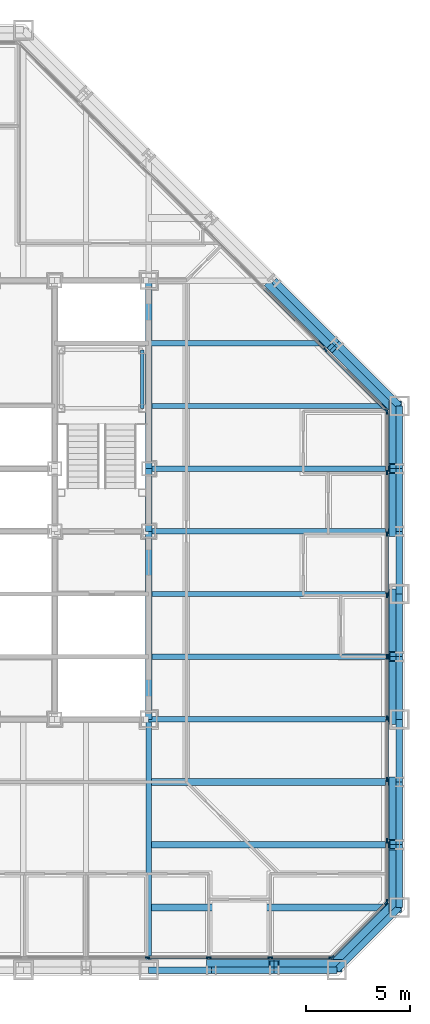
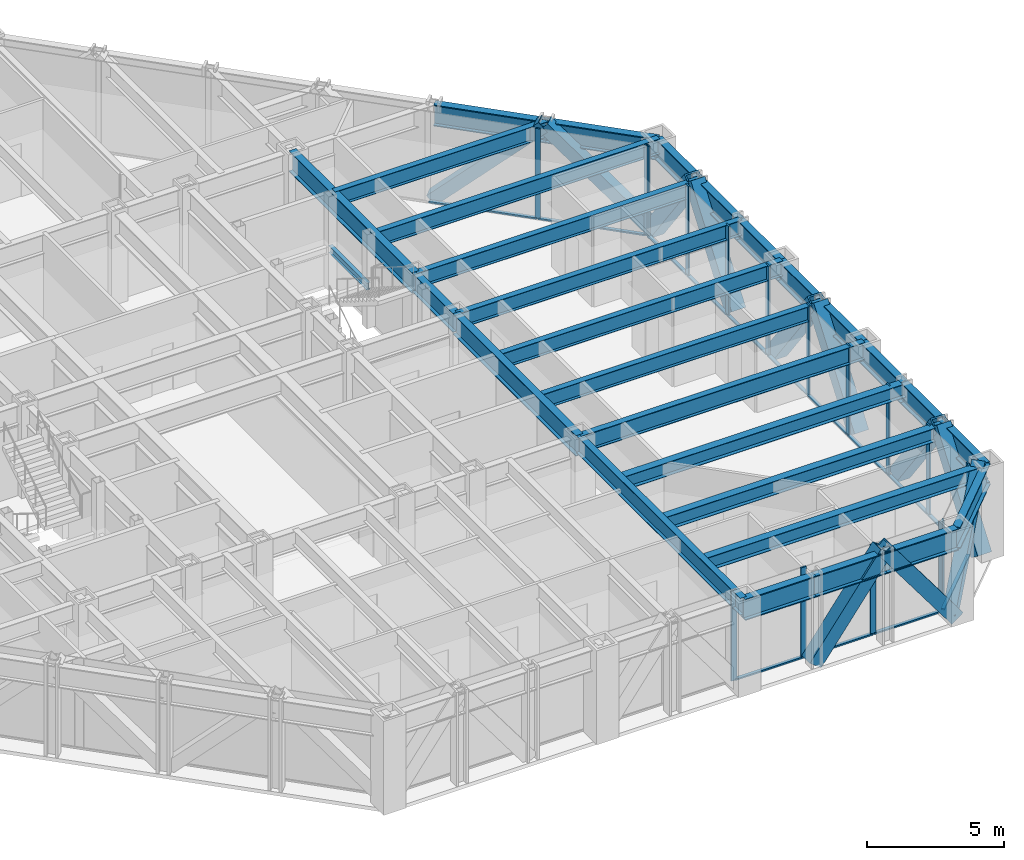
# One storey, part 6 of 17: 42 members, 29 beams, 4 elements without a shape of their own.
"""IFC4 building model written with IfcOpenShell, lengths in metres."""

import ifcopenshell
import ifcopenshell.guid

model = None  # the IFC model being written
_history = None  # IfcOwnerHistory: only IFC2X3 demands one
_inside = {}  # id of a spatial element -> (the spatial element, [elements in it])
_under = {}  # id of a project, library or spatial element -> (it, [spatial elements below it])
_declared = {}  # id of a project -> (the project, [libraries it declares])
_typed = {}  # id of a type object -> (the type object, [elements of that type])
_made_of = {}  # id of a material, layer set ... -> (it, [elements and type objects made of it])


def new_model(schema):
    """Start an empty IFC model of exactly this schema.

    Asked for "IFC4X3", IfcOpenShell would pick the latest addendum, in which some entities
    have other attributes; the version numbers below select the first issue.
    IFC2X3 requires an IfcOwnerHistory on every rooted entity: one is made here for all.
    """
    global model, _history
    if schema == "IFC4X3":
        model = ifcopenshell.file(schema_version=(4, 3, 0, 0))
    else:
        model = ifcopenshell.file(schema=schema)
    _inside.clear()
    _under.clear()
    _declared.clear()
    _typed.clear()
    _made_of.clear()
    _history = None
    if model.schema == "IFC2X3":
        org = make("IfcOrganization", Name="unknown")
        user = make(
            "IfcPersonAndOrganization",
            ThePerson=make("IfcPerson", FamilyName="unknown"),
            TheOrganization=org,
        )
        app = make(
            "IfcApplication",
            ApplicationDeveloper=org,
            Version="unknown",
            ApplicationFullName="unknown",
            ApplicationIdentifier="unknown",
        )
        _history = make(
            "IfcOwnerHistory",
            OwningUser=user,
            OwningApplication=app,
            ChangeAction="ADDED",
            CreationDate=0,
        )
    return model


def make(cls, **values):
    """One entity of the class cls with the attributes given. An attribute that is None is left unset."""
    return model.create_entity(
        cls, **{name: value for name, value in values.items() if value is not None}
    )


def rooted(cls, **values):
    """An entity with a GlobalId (a new one), such as an element, a storey or a relation."""
    return make(cls, GlobalId=ifcopenshell.guid.new(), OwnerHistory=_history, **values)


def si_unit(unit_type, name, prefix=None):
    """IfcSIUnit, for example si_unit("LENGTHUNIT", "METRE", prefix="MILLI")."""
    return make("IfcSIUnit", UnitType=unit_type, Prefix=prefix, Name=name)


def assignment(units):
    """IfcUnitAssignment: the units of a project."""
    return None if units is None else make("IfcUnitAssignment", Units=units)


def point(xyz):
    """IfcCartesianPoint."""
    return None if xyz is None else make("IfcCartesianPoint", Coordinates=xyz)


def direction(xyz):
    """IfcDirection."""
    return None if xyz is None else make("IfcDirection", DirectionRatios=xyz)


def frame(location, z_axis=None, x_axis=None):
    """IfcAxis2Placement3D, a coordinate frame: its origin and axes. An axis left out is left unset."""
    return make(
        "IfcAxis2Placement3D",
        Location=point(location),
        Axis=direction(z_axis),
        RefDirection=direction(x_axis),
    )


def frame_2d(location, x_axis=None):
    """IfcAxis2Placement2D, a coordinate frame in the plane: its origin and x axis."""
    return make(
        "IfcAxis2Placement2D", Location=point(location), RefDirection=direction(x_axis)
    )


def origin():
    """The frame at (0, 0, 0) with its axes left unset."""
    return frame((0.0, 0.0, 0.0))


def origin_2d():
    """The frame at (0, 0) in the plane with its x axis left unset."""
    return frame_2d((0.0, 0.0))


def place(relative_to, where):
    """IfcLocalPlacement: puts the frame where relative to a parent placement (None: the world)."""
    return make(
        "IfcLocalPlacement", PlacementRelTo=relative_to, RelativePlacement=where
    )


def context(
    kind, dimensions, precision=None, world=None, true_north=None, identifier=None
):
    """IfcGeometricRepresentationContext, for example the 3D "Model" context."""
    return make(
        "IfcGeometricRepresentationContext",
        ContextIdentifier=identifier,
        ContextType=kind,
        CoordinateSpaceDimension=dimensions,
        Precision=precision,
        WorldCoordinateSystem=world,
        TrueNorth=true_north,
    )


def subcontext(parent, identifier, kind, view, scale=None):
    """IfcGeometricRepresentationSubContext, for example "Body" below "Model"."""
    return make(
        "IfcGeometricRepresentationSubContext",
        ContextIdentifier=identifier,
        ContextType=kind,
        ParentContext=parent,
        TargetScale=scale,
        TargetView=view,
    )


def project(units=None, contexts=None):
    """IfcProject with its units and contexts."""
    return rooted(
        "IfcProject",
        Name="project",
        RepresentationContexts=contexts,
        UnitsInContext=assignment(units),
    )


def spatial(cls, under=None, at=None, **own):
    """A site, building, storey or space (cls), placed at a placement, below another one or the project."""
    s = rooted(cls, ObjectPlacement=at, **own)
    if under is not None:
        _under.setdefault(under.id(), (under, []))[1].append(s)
    return s


def profile(cls, at=None, kind="AREA", **sizes):
    """A parametric profile (cls). Its sizes go by their IFC names, for example OverallWidth=200.0."""
    return make(cls, ProfileType=kind, Position=at, **sizes)


def rectangle(**sizes):
    """IfcRectangleProfileDef."""
    return profile("IfcRectangleProfileDef", **sizes)


def hollow_rectangle(**sizes):
    """IfcRectangleHollowProfileDef."""
    return profile("IfcRectangleHollowProfileDef", **sizes)


def i_section(**sizes):
    """IfcIShapeProfileDef."""
    return profile("IfcIShapeProfileDef", **sizes)


def extrude(swept, where, along, depth):
    """IfcExtrudedAreaSolid: the profile swept, set in the frame where, extruded along a direction by depth."""
    return make(
        "IfcExtrudedAreaSolid",
        SweptArea=swept,
        Position=where,
        ExtrudedDirection=direction(along),
        Depth=depth,
    )


def shape(context_of_items, identifier, shape_type, items):
    """IfcShapeRepresentation: the items that make up one representation, for example the "Body"."""
    return make(
        "IfcShapeRepresentation",
        ContextOfItems=context_of_items,
        RepresentationIdentifier=identifier,
        RepresentationType=shape_type,
        Items=items,
    )


def material(Name=None, Category=None):
    """IfcMaterial."""
    return make("IfcMaterial", Name=Name, Category=Category)


def layer(
    of_material, thickness, ventilated=None, Name=None, Category=None, Priority=None
):
    """IfcMaterialLayer: one layer of a wall or slab, of a material (None: an air gap)."""
    return make(
        "IfcMaterialLayer",
        Material=of_material,
        LayerThickness=thickness,
        IsVentilated=ventilated,
        Name=Name,
        Category=Category,
        Priority=Priority,
    )


def layer_set(layers, Name=None):
    """IfcMaterialLayerSet."""
    return make("IfcMaterialLayerSet", MaterialLayers=layers, LayerSetName=Name)


def material_profile(
    of_material, cross_section, Name=None, Category=None, Priority=None
):
    """IfcMaterialProfile: a cross section and its material."""
    return make(
        "IfcMaterialProfile",
        Name=Name,
        Material=of_material,
        Profile=cross_section,
        Priority=Priority,
        Category=Category,
    )


def profile_set(profiles, Name=None, composite=None):
    """IfcMaterialProfileSet."""
    return make(
        "IfcMaterialProfileSet",
        Name=Name,
        MaterialProfiles=profiles,
        CompositeProfile=composite,
    )


def made_of(thing, what):
    """Note that an element or type object is made of a material, layer set ...; save() writes the relation."""
    if what is not None:
        _made_of.setdefault(what.id(), (what, []))[1].append(thing)
    return thing


def type_object(cls, material=None, **own):
    """A type object (cls), such as IfcWallType, which elements share."""
    return made_of(rooted(cls, **own), material)


def element(
    cls,
    number,
    at=None,
    inside=None,
    cuts=None,
    type_object=None,
    material=None,
    context=None,
    identifier="Body",
    shape_type=None,
    held_by="IfcProductDefinitionShape",
    body=None,
    shapes=None,
    **own,
):
    """One element of the class cls, such as IfcWall. Its Tag is "e" and its number.

    at: its placement. inside: the storey or other place that contains it. cuts: it is an
    opening in that element (IfcRelVoidsElement). A single representation is given by context,
    identifier, shape_type and body (its items); several are given by shapes. held_by: the class
    of the entity that holds the representations. save() writes the other relations.
    """
    e = rooted(cls, Tag="e%d" % number, ObjectPlacement=at, **own)
    if body is not None:
        shapes = [shape(context, identifier, shape_type, body)]
    if shapes is not None:
        e.Representation = make(held_by, Representations=shapes)
    if inside is not None:
        _inside.setdefault(inside.id(), (inside, []))[1].append(e)
    if cuts is not None:
        rooted(
            "IfcRelVoidsElement", RelatingBuildingElement=cuts, RelatedOpeningElement=e
        )
    if type_object is not None:
        _typed.setdefault(type_object.id(), (type_object, []))[1].append(e)
    return made_of(e, material)


def aggregate(whole, parts):
    """IfcRelAggregates: a whole, such as a stair, and the parts it consists of."""
    return rooted("IfcRelAggregates", RelatingObject=whole, RelatedObjects=parts)


def save(model, path):
    """Write the relations noted so far, then the file.

    IfcRelAggregates (storeys below a building ...), IfcRelContainedInSpatialStructure (elements
    in a storey), IfcRelDefinesByType, IfcRelAssociatesMaterial and IfcRelDeclares: one each for
    every whole, place, type object, material and project.
    """
    for whole, parts in _under.values():
        aggregate(whole, parts)
    for where, things in _inside.values():
        rooted(
            "IfcRelContainedInSpatialStructure",
            RelatedElements=things,
            RelatingStructure=where,
        )
    for kind, things in _typed.values():
        rooted("IfcRelDefinesByType", RelatedObjects=things, RelatingType=kind)
    for what, things in _made_of.values():
        rooted("IfcRelAssociatesMaterial", RelatedObjects=things, RelatingMaterial=what)
    for by, libraries in _declared.values():
        rooted("IfcRelDeclares", RelatingContext=by, RelatedDefinitions=libraries)
    model.write(path)


model = new_model("IFC4")

# Units and contexts
model_context = context("Model", 3, precision=1e-05, world=origin(), true_north=direction((0.0, 1.0)))
body_context = subcontext(model_context, "Body", "Model", "MODEL_VIEW")
ifc_project = project(units=[si_unit("LENGTHUNIT", "METRE"), si_unit("AREAUNIT", "SQUARE_METRE"), si_unit("VOLUMEUNIT", "CUBIC_METRE"), si_unit("PLANEANGLEUNIT", "RADIAN"), si_unit("MASSUNIT", "GRAM", prefix="KILO")], contexts=[model_context])

# Site, building, storey
site_placement = place(None, origin())
site = spatial("IfcSite", under=ifc_project, at=site_placement, CompositionType="ELEMENT")
building_placement = place(site_placement, origin())
building = spatial("IfcBuilding", under=site, at=building_placement, Name="Chuquiago Exchange Tower", CompositionType="ELEMENT")
storey_placement = place(building_placement, frame((0.0, 0.0, 136.199951171875)))
storey = spatial("IfcBuildingStorey", under=building, at=storey_placement, Name="L29", CompositionType="ELEMENT", Elevation=136.199951171875)

# Beams
ifc_material_1 = material(Name="Steel ASTM A992", Category="steel")
ifc_material_profile_1 = material_profile(ifc_material_1, i_section(OverallWidth=0.25390625, OverallDepth=0.683349609375, WebThickness=0.012451171875, FlangeThickness=0.018798828125, at=origin_2d()), Name="W27X94")
ifc_profile_set_1 = profile_set([ifc_material_profile_1], Name="Steel ASTM A992")
beam_type_1 = type_object("IfcBeamType", Name="B1 W27X94", PredefinedType="BEAM", material=ifc_profile_set_1)
for number, where, z_axis, x_axis, name in (
    (1, (33.0, 15.0, 3.698486328125), (1.0, 0.0, 0.0), (0.0, 1.0, 0.0), "FB-L30-infill-33_15-45_15-0"),
    (2, (33.0, 18.0, 3.698486328125), (1.0, 0.0, 0.0), (0.0, 1.0, 0.0), "FB-L30-infill-33_18-45_18-0"),
    (3, (33.0, 21.0, 3.698486328125), (1.0, 0.0, 0.0), (0.0, 1.0, 0.0), "FB-L30-infill-33_21-45_21-0"),
    (4, (33.0, 24.0, 3.698486328125), (1.0, 0.0, 0.0), (0.0, 1.0, 0.0), "FB-L30-infill-33_24-45_24-0"),
    (5, (33.0, 27.0, 3.698486328125), (1.0, 0.0, 0.0), (0.0, 1.0, 0.0), "FB-L30-infill-33_27-45_27-0"),
):
    element("IfcBeam", number, at=place(storey_placement, frame(where, z_axis=z_axis, x_axis=x_axis)), inside=storey, type_object=beam_type_1, Name=name, PredefinedType="BEAM", context=body_context, shape_type="SweptSolid", body=[
        extrude(i_section(OverallWidth=0.25390625, OverallDepth=0.683349609375, WebThickness=0.012451171875, FlangeThickness=0.018798828125, at=origin_2d()), origin(), (0.0, 0.0, 1.0), 12.0),
    ])
beam_1_placement = place(storey_placement, frame((33.0, 30.0, 3.698486328125), z_axis=(1.0, 0.0, 0.0), x_axis=(0.0, 1.0, 0.0)))
element("IfcBeam", 6, at=beam_1_placement, inside=storey, type_object=beam_type_1, Name="FB-L30-infill-33_30-42_30-0", PredefinedType="BEAM", context=body_context, shape_type="SweptSolid", body=[
    extrude(i_section(OverallWidth=0.25390625, OverallDepth=0.683349609375, WebThickness=0.012451171875, FlangeThickness=0.018798828125, at=origin_2d()), origin(), (0.0, 0.0, 1.0), 9.0),
])
ifc_material_2 = material(Name="Steel ASTM A992", Category="steel")
ifc_material_profile_2 = material_profile(ifc_material_2, i_section(OverallWidth=0.307373046875, OverallDepth=0.927001953125, WebThickness=0.01953125, FlangeThickness=0.031982421875, at=origin_2d()), Name="W36X194")
ifc_profile_set_2 = profile_set([ifc_material_profile_2], Name="Steel ASTM A992")
beam_type_2 = type_object("IfcBeamType", Name="B10 W36X194", PredefinedType="BEAM", material=ifc_profile_set_2)
for number, where, z_axis, x_axis, name in (
    (7, (33.0, 12.0, 3.57666015625), (0.0, 1.0, 0.0), (-1.0, 0.0, 0.0), "CB-L30-33_12-33_21"),
    (8, (33.0, 24.0, 3.57666015625), (0.0, 1.0, 0.0), (-1.0, 0.0, 0.0), "CB-L30-33_24-33_33"),
):
    element("IfcBeam", number, at=place(storey_placement, frame(where, z_axis=z_axis, x_axis=x_axis)), inside=storey, type_object=beam_type_2, Name=name, PredefinedType="BEAM", context=body_context, shape_type="SweptSolid", body=[
        extrude(i_section(OverallWidth=0.307373046875, OverallDepth=0.927001953125, WebThickness=0.01953125, FlangeThickness=0.031982421875, at=origin_2d()), origin(), (0.0, 0.0, 1.0), 9.0),
    ])
ifc_material_3 = material(Name="Steel ASTM A992", Category="steel")
ifc_material_profile_3 = material_profile(ifc_material_3, i_section(OverallWidth=0.3251953125, OverallDepth=0.612060546875, WebThickness=0.0126953125, FlangeThickness=0.01904296875, at=origin_2d()), Name="W24X104")
ifc_profile_set_3 = profile_set([ifc_material_profile_3], Name="Steel ASTM A992")
beam_type_3 = type_object("IfcBeamType", Name="B2 W24X104", PredefinedType="BEAM", material=ifc_profile_set_3)
for number, where, z_axis, x_axis, name in (
    (9, (33.0, 3.0, 3.73388671875), (1.0, 0.0, 0.0), (0.0, 1.0, 0.0), "FB-L30-corner-33_3-45_3-0"),
    (10, (33.0, 6.0, 3.73388671875), (1.0, 0.0, 0.0), (0.0, 1.0, 0.0), "FB-L30-corner-33_6-45_6-0"),
    (11, (33.0, 9.0, 3.73388671875), (1.0, 0.0, 0.0), (0.0, 1.0, 0.0), "FB-L30-corner-33_9-45_9-0"),
):
    element("IfcBeam", number, at=place(storey_placement, frame(where, z_axis=z_axis, x_axis=x_axis)), inside=storey, type_object=beam_type_3, Name=name, PredefinedType="BEAM", context=body_context, shape_type="SweptSolid", body=[
        extrude(i_section(OverallWidth=0.3251953125, OverallDepth=0.612060546875, WebThickness=0.0126953125, FlangeThickness=0.01904296875, at=origin_2d()), origin(), (0.0, 0.0, 1.0), 12.0),
    ])
ifc_material_4 = material(Name="Steel ASTM A992", Category="steel")
ifc_material_profile_4 = material_profile(ifc_material_4, i_section(OverallWidth=0.2919921875, OverallDepth=0.8583984375, WebThickness=0.01708984375, FlangeThickness=0.031005859375, at=origin_2d()), Name="W33X169")
ifc_profile_set_4 = profile_set([ifc_material_profile_4], Name="Steel ASTM A992")
beam_type_4 = type_object("IfcBeamType", Name="B3 W33X169", PredefinedType="BEAM", material=ifc_profile_set_4)
beam_2_placement = place(storey_placement, frame((33.0, 21.0, 3.61083984375), z_axis=(0.0, 1.0, 0.0), x_axis=(-1.0, 0.0, 0.0)))
element("IfcBeam", 12, at=beam_2_placement, inside=storey, type_object=beam_type_4, Name="CB-L30-33_21-33_24", PredefinedType="BEAM", context=body_context, shape_type="SweptSolid", body=[
    extrude(i_section(OverallWidth=0.2919921875, OverallDepth=0.8583984375, WebThickness=0.01708984375, FlangeThickness=0.031005859375, at=origin_2d()), origin(), (0.0, 0.0, 1.0), 3.0),
])

# Curtain wall, members
ifc_material_5 = material(Name="Aluminium curtain wall system", Category="aluminium")
ifc_layer_1 = layer(ifc_material_5, 0.22509765625)
ifc_layer_set_1 = layer_set([ifc_layer_1], Name="CW2 office curtain wall")
curtain_wall_type_1 = type_object("IfcCurtainWallType", Name="CW2 office curtain wall", PredefinedType="NOTDEFINED", material=ifc_layer_set_1)
curtain_wall_1_placement = place(storey_placement, origin())
curtain_wall_1 = element("IfcCurtainWall", 13, at=curtain_wall_1_placement, inside=storey, type_object=curtain_wall_type_1, Name="CW2 curtain wall L29", PredefinedType="NOTDEFINED")
ifc_material_6 = material(Name="Aluminium mullion, pale anodised", Category="aluminium")
ifc_material_profile_5 = material_profile(ifc_material_6, rectangle(XDim=0.06494140625, YDim=0.22509765625, at=origin_2d()), Name="AL 65x225")
ifc_profile_set_5 = profile_set([ifc_material_profile_5], Name="Aluminium mullion, pale anodised")
member_type_1 = type_object("IfcMemberType", Name="CW2-M mullion 65x225", PredefinedType="MULLION", material=ifc_profile_set_5)
member_1_placement = place(storey_placement, frame((32.93798828125, 0.60009765625, 0.0), z_axis=(0.0, 0.0, 1.0), x_axis=(0.0, 1.0, 0.0)))
member_1 = element("IfcMember", 14, at=member_1_placement, type_object=member_type_1, Name="CW2 mullion 6", PredefinedType="MULLION", context=body_context, shape_type="SweptSolid", body=[
    extrude(rectangle(XDim=0.06494140625, YDim=0.22509765625, at=origin_2d()), origin(), (0.0, 0.0, 1.0), 4.0400390625),
])
member_2_placement = place(storey_placement, frame((35.875732421875, 0.60009765625, 0.0), z_axis=(0.0, 0.0, 1.0), x_axis=(0.0, 1.0, 0.0)))
member_2 = element("IfcMember", 15, at=member_2_placement, type_object=member_type_1, Name="CW2 mullion 7", PredefinedType="MULLION", context=body_context, shape_type="SweptSolid", body=[
    extrude(rectangle(XDim=0.06494140625, YDim=0.22509765625, at=origin_2d()), origin(), (0.0, 0.0, 1.0), 4.0400390625),
])
member_3_placement = place(storey_placement, frame((38.813720703125, 0.60009765625, 0.0), z_axis=(0.0, 0.0, 1.0), x_axis=(0.0, 1.0, 0.0)))
member_3 = element("IfcMember", 16, at=member_3_placement, type_object=member_type_1, Name="CW2 mullion 8", PredefinedType="MULLION", context=body_context, shape_type="SweptSolid", body=[
    extrude(rectangle(XDim=0.06494140625, YDim=0.22509765625, at=origin_2d()), origin(), (0.0, 0.0, 1.0), 4.0400390625),
])
member_4_placement = place(storey_placement, frame((41.718994140625, 0.60009765625, 0.0), z_axis=(0.0, 0.0, 1.0), x_axis=(0.0, 1.0, 0.0)))
member_4 = element("IfcMember", 17, at=member_4_placement, type_object=member_type_1, Name="CW2 mullion 9", PredefinedType="MULLION", context=body_context, shape_type="SweptSolid", body=[
    extrude(rectangle(XDim=0.06494140625, YDim=0.22509765625, at=origin_2d()), origin(), (0.0, 0.0, 1.0), 4.0400390625),
])

curtain_wall_2_placement = place(storey_placement, origin())
curtain_wall_2 = element("IfcCurtainWall", 18, at=curtain_wall_2_placement, inside=storey, type_object=curtain_wall_type_1, Name="CW2 curtain wall L29", PredefinedType="NOTDEFINED")
member_5_placement = place(storey_placement, frame((44.39990234375, 3.281005859375, 0.0), z_axis=(0.0, 0.0, 1.0), x_axis=(-1.0, 0.0, 0.0)))
member_5 = element("IfcMember", 19, at=member_5_placement, type_object=member_type_1, Name="CW2 mullion 1", PredefinedType="MULLION", context=body_context, shape_type="SweptSolid", body=[
    extrude(rectangle(XDim=0.06494140625, YDim=0.22509765625, at=origin_2d()), origin(), (0.0, 0.0, 1.0), 4.0400390625),
])
member_6_placement = place(storey_placement, frame((44.39990234375, 6.186279296875, 0.0), z_axis=(0.0, 0.0, 1.0), x_axis=(-1.0, 0.0, 0.0)))
member_6 = element("IfcMember", 20, at=member_6_placement, type_object=member_type_1, Name="CW2 mullion 2", PredefinedType="MULLION", context=body_context, shape_type="SweptSolid", body=[
    extrude(rectangle(XDim=0.06494140625, YDim=0.22509765625, at=origin_2d()), origin(), (0.0, 0.0, 1.0), 4.0400390625),
])
member_7_placement = place(storey_placement, frame((44.39990234375, 9.124267578125, 0.0), z_axis=(0.0, 0.0, 1.0), x_axis=(-1.0, 0.0, 0.0)))
member_7 = element("IfcMember", 21, at=member_7_placement, type_object=member_type_1, Name="CW2 mullion 3", PredefinedType="MULLION", context=body_context, shape_type="SweptSolid", body=[
    extrude(rectangle(XDim=0.06494140625, YDim=0.22509765625, at=origin_2d()), origin(), (0.0, 0.0, 1.0), 4.0400390625),
])
member_8_placement = place(storey_placement, frame((44.39990234375, 12.06201171875, 0.0), z_axis=(0.0, 0.0, 1.0), x_axis=(-1.0, 0.0, 0.0)))
member_8 = element("IfcMember", 22, at=member_8_placement, type_object=member_type_1, Name="CW2 mullion 4", PredefinedType="MULLION", context=body_context, shape_type="SweptSolid", body=[
    extrude(rectangle(XDim=0.06494140625, YDim=0.22509765625, at=origin_2d()), origin(), (0.0, 0.0, 1.0), 4.0400390625),
])
member_9_placement = place(storey_placement, frame((44.39990234375, 15.0, 0.0), z_axis=(0.0, 0.0, 1.0), x_axis=(-1.0, 0.0, 0.0)))
member_9 = element("IfcMember", 23, at=member_9_placement, type_object=member_type_1, Name="CW2 mullion 5", PredefinedType="MULLION", context=body_context, shape_type="SweptSolid", body=[
    extrude(rectangle(XDim=0.06494140625, YDim=0.22509765625, at=origin_2d()), origin(), (0.0, 0.0, 1.0), 4.0400390625),
])
member_10_placement = place(storey_placement, frame((44.39990234375, 17.93798828125, 0.0), z_axis=(0.0, 0.0, 1.0), x_axis=(-1.0, 0.0, 0.0)))
member_10 = element("IfcMember", 24, at=member_10_placement, type_object=member_type_1, Name="CW2 mullion 6", PredefinedType="MULLION", context=body_context, shape_type="SweptSolid", body=[
    extrude(rectangle(XDim=0.06494140625, YDim=0.22509765625, at=origin_2d()), origin(), (0.0, 0.0, 1.0), 4.0400390625),
])
member_11_placement = place(storey_placement, frame((44.39990234375, 20.875732421875, 0.0), z_axis=(0.0, 0.0, 1.0), x_axis=(-1.0, 0.0, 0.0)))
member_11 = element("IfcMember", 25, at=member_11_placement, type_object=member_type_1, Name="CW2 mullion 7", PredefinedType="MULLION", context=body_context, shape_type="SweptSolid", body=[
    extrude(rectangle(XDim=0.06494140625, YDim=0.22509765625, at=origin_2d()), origin(), (0.0, 0.0, 1.0), 4.0400390625),
])
member_12_placement = place(storey_placement, frame((44.39990234375, 23.813720703125, 0.0), z_axis=(0.0, 0.0, 1.0), x_axis=(-1.0, 0.0, 0.0)))
member_12 = element("IfcMember", 26, at=member_12_placement, type_object=member_type_1, Name="CW2 mullion 8", PredefinedType="MULLION", context=body_context, shape_type="SweptSolid", body=[
    extrude(rectangle(XDim=0.06494140625, YDim=0.22509765625, at=origin_2d()), origin(), (0.0, 0.0, 1.0), 4.0400390625),
])
member_13_placement = place(storey_placement, frame((44.39990234375, 26.718994140625, 0.0), z_axis=(0.0, 0.0, 1.0), x_axis=(-1.0, 0.0, 0.0)))
member_13 = element("IfcMember", 27, at=member_13_placement, type_object=member_type_1, Name="CW2 mullion 9", PredefinedType="MULLION", context=body_context, shape_type="SweptSolid", body=[
    extrude(rectangle(XDim=0.06494140625, YDim=0.22509765625, at=origin_2d()), origin(), (0.0, 0.0, 1.0), 4.0400390625),
])

# Member
ifc_material_7 = material(Name="Aluminium transom, pale anodised", Category="aluminium")
ifc_material_profile_6 = material_profile(ifc_material_7, rectangle(XDim=0.139892578125, YDim=0.06494140625, at=origin_2d()), Name="AL 140x65")
ifc_profile_set_6 = profile_set([ifc_material_profile_6], Name="Aluminium transom, pale anodised")
member_type_2 = type_object("IfcMemberType", Name="CW2-T transom 65x140", PredefinedType="MULLION", material=ifc_profile_set_6)
member_14_placement = place(storey_placement, frame((32.970458984375, 0.60009765625, 0.032470703125), z_axis=(1.0, 0.0, 0.0), x_axis=(0.0, 1.0, 0.0)))
member_14 = element("IfcMember", 28, at=member_14_placement, type_object=member_type_2, Name="CW2 transom 6.1", PredefinedType="MULLION", context=body_context, shape_type="SweptSolid", body=[
    extrude(rectangle(XDim=0.139892578125, YDim=0.06494140625, at=origin_2d()), origin(), (0.0, 0.0, 1.0), 2.872802734375),
])

member_15_placement = place(storey_placement, frame((35.908203125, 0.60009765625, 0.032470703125), z_axis=(1.0, 0.0, 0.0), x_axis=(0.0, 1.0, 0.0)))
member_15 = element("IfcMember", 29, at=member_15_placement, type_object=member_type_2, Name="CW2 transom 7.1", PredefinedType="MULLION", context=body_context, shape_type="SweptSolid", body=[
    extrude(rectangle(XDim=0.139892578125, YDim=0.06494140625, at=origin_2d()), origin(), (0.0, 0.0, 1.0), 2.872802734375),
])

member_16_placement = place(storey_placement, frame((38.84619140625, 0.60009765625, 0.032470703125), z_axis=(1.0, 0.0, 0.0), x_axis=(0.0, 1.0, 0.0)))
member_16 = element("IfcMember", 30, at=member_16_placement, type_object=member_type_2, Name="CW2 transom 8.1", PredefinedType="MULLION", context=body_context, shape_type="SweptSolid", body=[
    extrude(rectangle(XDim=0.139892578125, YDim=0.06494140625, at=origin_2d()), origin(), (0.0, 0.0, 1.0), 2.84033203125),
])

aggregate(curtain_wall_1, [member_1, member_2, member_3, member_4, member_14, member_15, member_16])

member_17_placement = place(storey_placement, frame((44.39990234375, 3.3134765625, 0.032470703125), z_axis=(0.0, 1.0, 0.0), x_axis=(-1.0, 0.0, 0.0)))
member_17 = element("IfcMember", 31, at=member_17_placement, type_object=member_type_2, Name="CW2 transom 1.1", PredefinedType="MULLION", context=body_context, shape_type="SweptSolid", body=[
    extrude(rectangle(XDim=0.139892578125, YDim=0.06494140625, at=origin_2d()), origin(), (0.0, 0.0, 1.0), 2.84033203125),
])

member_18_placement = place(storey_placement, frame((44.39990234375, 6.218994140625, 0.032470703125), z_axis=(0.0, 1.0, 0.0), x_axis=(-1.0, 0.0, 0.0)))
member_18 = element("IfcMember", 32, at=member_18_placement, type_object=member_type_2, Name="CW2 transom 2.1", PredefinedType="MULLION", context=body_context, shape_type="SweptSolid", body=[
    extrude(rectangle(XDim=0.139892578125, YDim=0.06494140625, at=origin_2d()), origin(), (0.0, 0.0, 1.0), 2.872802734375),
])

member_19_placement = place(storey_placement, frame((44.39990234375, 9.15673828125, 0.032470703125), z_axis=(0.0, 1.0, 0.0), x_axis=(-1.0, 0.0, 0.0)))
member_19 = element("IfcMember", 33, at=member_19_placement, type_object=member_type_2, Name="CW2 transom 3.1", PredefinedType="MULLION", context=body_context, shape_type="SweptSolid", body=[
    extrude(rectangle(XDim=0.139892578125, YDim=0.06494140625, at=origin_2d()), origin(), (0.0, 0.0, 1.0), 2.872802734375),
])

member_20_placement = place(storey_placement, frame((44.39990234375, 12.0947265625, 0.032470703125), z_axis=(0.0, 1.0, 0.0), x_axis=(-1.0, 0.0, 0.0)))
member_20 = element("IfcMember", 34, at=member_20_placement, type_object=member_type_2, Name="CW2 transom 4.1", PredefinedType="MULLION", context=body_context, shape_type="SweptSolid", body=[
    extrude(rectangle(XDim=0.139892578125, YDim=0.06494140625, at=origin_2d()), origin(), (0.0, 0.0, 1.0), 2.872802734375),
])

member_21_placement = place(storey_placement, frame((44.39990234375, 15.032470703125, 0.032470703125), z_axis=(0.0, 1.0, 0.0), x_axis=(-1.0, 0.0, 0.0)))
member_21 = element("IfcMember", 35, at=member_21_placement, type_object=member_type_2, Name="CW2 transom 5.1", PredefinedType="MULLION", context=body_context, shape_type="SweptSolid", body=[
    extrude(rectangle(XDim=0.139892578125, YDim=0.06494140625, at=origin_2d()), origin(), (0.0, 0.0, 1.0), 2.872802734375),
])

member_22_placement = place(storey_placement, frame((44.39990234375, 17.970458984375, 0.032470703125), z_axis=(0.0, 1.0, 0.0), x_axis=(-1.0, 0.0, 0.0)))
member_22 = element("IfcMember", 36, at=member_22_placement, type_object=member_type_2, Name="CW2 transom 6.1", PredefinedType="MULLION", context=body_context, shape_type="SweptSolid", body=[
    extrude(rectangle(XDim=0.139892578125, YDim=0.06494140625, at=origin_2d()), origin(), (0.0, 0.0, 1.0), 2.872802734375),
])

member_23_placement = place(storey_placement, frame((44.39990234375, 20.908203125, 0.032470703125), z_axis=(0.0, 1.0, 0.0), x_axis=(-1.0, 0.0, 0.0)))
member_23 = element("IfcMember", 37, at=member_23_placement, type_object=member_type_2, Name="CW2 transom 7.1", PredefinedType="MULLION", context=body_context, shape_type="SweptSolid", body=[
    extrude(rectangle(XDim=0.139892578125, YDim=0.06494140625, at=origin_2d()), origin(), (0.0, 0.0, 1.0), 2.872802734375),
])

member_24_placement = place(storey_placement, frame((44.39990234375, 23.84619140625, 0.032470703125), z_axis=(0.0, 1.0, 0.0), x_axis=(-1.0, 0.0, 0.0)))
member_24 = element("IfcMember", 38, at=member_24_placement, type_object=member_type_2, Name="CW2 transom 8.1", PredefinedType="MULLION", context=body_context, shape_type="SweptSolid", body=[
    extrude(rectangle(XDim=0.139892578125, YDim=0.06494140625, at=origin_2d()), origin(), (0.0, 0.0, 1.0), 2.84033203125),
])

aggregate(curtain_wall_2, [member_5, member_6, member_7, member_8, member_9, member_10, member_11, member_12, member_13, member_17, member_18, member_19, member_20, member_21, member_22, member_23, member_24])

# Curtain wall, members
ifc_material_8 = material(Name="Aluminium curtain wall system", Category="aluminium")
ifc_layer_2 = layer(ifc_material_8, 0.199951171875)
ifc_layer_set_2 = layer_set([ifc_layer_2], Name="CW3 facet curtain wall")
curtain_wall_type_2 = type_object("IfcCurtainWallType", Name="CW3 facet curtain wall", PredefinedType="NOTDEFINED", material=ifc_layer_set_2)
curtain_wall_3_placement = place(storey_placement, origin())
curtain_wall_3 = element("IfcCurtainWall", 39, at=curtain_wall_3_placement, inside=storey, type_object=curtain_wall_type_2, Name="CW3 curtain wall L29", PredefinedType="NOTDEFINED")
ifc_material_9 = material(Name="Aluminium mullion, pale anodised", Category="aluminium")
ifc_material_profile_7 = material_profile(ifc_material_9, rectangle(XDim=0.06494140625, YDim=0.199951171875, at=origin_2d()), Name="AL 65x200")
ifc_profile_set_7 = profile_set([ifc_material_profile_7], Name="Aluminium mullion, pale anodised")
member_type_3 = type_object("IfcMemberType", Name="CW3-M mullion 65x200", PredefinedType="MULLION", material=ifc_profile_set_7)
member_25_placement = place(storey_placement, frame((41.7744140625, 0.623046875, 0.0), z_axis=(0.0, 0.0, 1.0), x_axis=(-0.707106781187, 0.707106781187, 0.0)))
member_25 = element("IfcMember", 40, at=member_25_placement, type_object=member_type_3, Name="CW3 mullion 1", PredefinedType="MULLION", context=body_context, shape_type="SweptSolid", body=[
    extrude(rectangle(XDim=0.06494140625, YDim=0.199951171875, at=origin_2d()), origin(), (0.0, 0.0, 1.0), 4.0400390625),
])
member_26_placement = place(storey_placement, frame((44.376953125, 3.2255859375, 0.0), z_axis=(0.0, 0.0, 1.0), x_axis=(-0.707106781187, 0.707106781187, 0.0)))
member_26 = element("IfcMember", 41, at=member_26_placement, type_object=member_type_3, Name="CW3 mullion 2", PredefinedType="MULLION", context=body_context, shape_type="SweptSolid", body=[
    extrude(rectangle(XDim=0.06494140625, YDim=0.199951171875, at=origin_2d()), origin(), (0.0, 0.0, 1.0), 4.0400390625),
])

curtain_wall_4_placement = place(storey_placement, origin())
curtain_wall_4 = element("IfcCurtainWall", 42, at=curtain_wall_4_placement, inside=storey, type_object=curtain_wall_type_2, Name="CW3 curtain wall L29", PredefinedType="NOTDEFINED")
member_27_placement = place(storey_placement, frame((44.376953125, 26.7744140625, 0.0), z_axis=(0.0, 0.0, 1.0), x_axis=(-0.707106781187, -0.707106781187, 0.0)))
member_27 = element("IfcMember", 43, at=member_27_placement, type_object=member_type_3, Name="CW3 mullion 1", PredefinedType="MULLION", context=body_context, shape_type="SweptSolid", body=[
    extrude(rectangle(XDim=0.06494140625, YDim=0.199951171875, at=origin_2d()), origin(), (0.0, 0.0, 1.0), 4.0400390625),
])
member_28_placement = place(storey_placement, frame((41.45849609375, 29.69287109375, 0.0), z_axis=(0.0, 0.0, 1.0), x_axis=(-0.707106781187, -0.707106781187, 0.0)))
member_28 = element("IfcMember", 44, at=member_28_placement, type_object=member_type_3, Name="CW3 mullion 2", PredefinedType="MULLION", context=body_context, shape_type="SweptSolid", body=[
    extrude(rectangle(XDim=0.06494140625, YDim=0.199951171875, at=origin_2d()), origin(), (0.0, 0.0, 1.0), 4.0400390625),
])

# Member
ifc_material_10 = material(Name="Aluminium transom, pale anodised", Category="aluminium")
ifc_material_profile_8 = material_profile(ifc_material_10, rectangle(XDim=0.139892578125, YDim=0.06494140625, at=origin_2d()), Name="AL 140x65")
ifc_profile_set_8 = profile_set([ifc_material_profile_8], Name="Aluminium transom, pale anodised")
member_type_4 = type_object("IfcMemberType", Name="CW3-T transom 65x140", PredefinedType="MULLION", material=ifc_profile_set_8)
member_29_placement = place(storey_placement, frame((41.79736328125, 0.64599609375, 0.032470703125), z_axis=(0.707106781187, 0.707106781187, 0.0), x_axis=(-0.707106781187, 0.707106781187, 0.0)))
member_29 = element("IfcMember", 45, at=member_29_placement, type_object=member_type_4, Name="CW3 transom 1.1", PredefinedType="MULLION", context=body_context, shape_type="SweptSolid", body=[
    extrude(rectangle(XDim=0.139892578125, YDim=0.06494140625, at=origin_2d()), origin(), (0.0, 0.0, 1.0), 3.61572265625),
])

aggregate(curtain_wall_3, [member_25, member_26, member_29])

member_30_placement = place(storey_placement, frame((44.35400390625, 26.79736328125, 0.032470703125), z_axis=(-0.707106781187, 0.707106781187, 0.0), x_axis=(-0.707106781187, -0.707106781187, 0.0)))
member_30 = element("IfcMember", 46, at=member_30_placement, type_object=member_type_4, Name="CW3 transom 1.1", PredefinedType="MULLION", context=body_context, shape_type="SweptSolid", body=[
    extrude(rectangle(XDim=0.139892578125, YDim=0.06494140625, at=origin_2d()), origin(), (0.0, 0.0, 1.0), 4.0625),
])

member_31_placement = place(storey_placement, frame((41.435546875, 29.7158203125, 0.032470703125), z_axis=(-0.707106781187, 0.707106781187, 0.0), x_axis=(-0.707106781187, -0.707106781187, 0.0)))
member_31 = element("IfcMember", 47, at=member_31_placement, type_object=member_type_4, Name="CW3 transom 2.1", PredefinedType="MULLION", context=body_context, shape_type="SweptSolid", body=[
    extrude(rectangle(XDim=0.139892578125, YDim=0.06494140625, at=origin_2d()), origin(), (0.0, 0.0, 1.0), 4.094970703125),
])

aggregate(curtain_wall_4, [member_27, member_28, member_30, member_31])

# Beams
ifc_material_11 = material(Name="Steel ASTM A992", Category="steel")
ifc_material_profile_9 = material_profile(ifc_material_11, i_section(OverallWidth=0.2666015625, OverallDepth=0.76953125, WebThickness=0.015625, FlangeThickness=0.025390625, at=origin_2d()), Name="W30X132")
ifc_profile_set_9 = profile_set([ifc_material_profile_9], Name="Steel ASTM A992")
beam_type_5 = type_object("IfcBeamType", Name="G1 W30X132", PredefinedType="BEAM", material=ifc_profile_set_9)
for number, where, z_axis, x_axis, name in (
    (48, (33.0, 12.0, 3.6552734375), (0.0, -1.0, 0.0), (1.0, 0.0, 0.0), "FB-L30-girder-33_12-33_-0-0"),
    (49, (33.0, 12.0, 3.6552734375), (1.0, 0.0, 0.0), (0.0, 1.0, 0.0), "FB-L30-girder-33_12-45_12-0"),
):
    element("IfcBeam", number, at=place(storey_placement, frame(where, z_axis=z_axis, x_axis=x_axis)), inside=storey, type_object=beam_type_5, Name=name, PredefinedType="BEAM", context=body_context, shape_type="SweptSolid", body=[
        extrude(i_section(OverallWidth=0.2666015625, OverallDepth=0.76953125, WebThickness=0.015625, FlangeThickness=0.025390625, at=origin_2d()), origin(), (0.0, 0.0, 1.0), 12.0),
    ])

# Members
ifc_material_12 = material(Name="Steel ASTM A500 Grade C", Category="steel")
ifc_material_profile_10 = material_profile(ifc_material_12, hollow_rectangle(XDim=0.508056640625, YDim=0.508056640625, WallThickness=0.017822265625, at=origin_2d()), Name="HSS20X20X3/4")
ifc_profile_set_10 = profile_set([ifc_material_profile_10], Name="Steel ASTM A500 Grade C")
member_type_5 = type_object("IfcMemberType", Name="LB1 HSS20X20X3/4", PredefinedType="BRACE", material=ifc_profile_set_10)
for number, where, z_axis, x_axis, name in (
    (50, (41.822509765625, 0.177490234375, 0.0), (0.512077265487, 0.512077265487, 0.689604051861), (-0.707106781187, 0.707106781187, 0.0), "LB-L29-42_0-45_3"),
    (51, (44.822509765625, 26.822509765625, 0.0), (-0.512077265487, 0.512077265487, 0.689604051861), (-0.707106781187, -0.707106781187, 0.0), "LB-L29-45_27-42_30"),
    (52, (38.822509765625, 32.822509765625, 0.0), (0.512077265487, -0.512077265487, 0.689604051861), (0.707106781187, 0.707106781187, 0.0), "LB-L29-42_30-39_33"),
):
    element("IfcMember", number, at=place(storey_placement, frame(where, z_axis=z_axis, x_axis=x_axis)), inside=storey, type_object=member_type_5, Name=name, PredefinedType="BRACE", context=body_context, shape_type="SweptSolid", body=[
        extrude(hollow_rectangle(XDim=0.508056640625, YDim=0.508056640625, WallThickness=0.017822265625, at=origin_2d()), origin(), (0.0, 0.0, 1.0), 5.8583984375),
    ])

# Beam
ifc_material_13 = material(Name="Steel ASTM A992", Category="steel")
ifc_material_profile_11 = material_profile(ifc_material_13, i_section(OverallWidth=0.164794921875, OverallDepth=0.309814453125, WebThickness=0.005859375, FlangeThickness=0.009765625, at=origin_2d()), Name="W12X26")
ifc_profile_set_11 = profile_set([ifc_material_profile_11], Name="Steel ASTM A992")
beam_type_6 = type_object("IfcBeamType", Name="LS1 W12X26", PredefinedType="BEAM", material=ifc_profile_set_11)
beam_3_placement = place(storey_placement, frame((32.68994140625, 26.889892578125, 1.7451171875), z_axis=(0.0, 1.0, 0.0), x_axis=(-1.0, 0.0, 0.0)))
element("IfcBeam", 53, at=beam_3_placement, inside=storey, type_object=beam_type_6, Name="Stair ST2 L29 landing 1 stringer", PredefinedType="BEAM", context=body_context, shape_type="SweptSolid", body=[
    extrude(i_section(OverallWidth=0.164794921875, OverallDepth=0.309814453125, WebThickness=0.005859375, FlangeThickness=0.009765625, at=origin_2d()), origin(), (0.0, 0.0, 1.0), 2.800048828125),
])

# Members
ifc_material_14 = material(Name="Steel ASTM A572 Grade 50", Category="steel")
ifc_material_profile_12 = material_profile(ifc_material_14, hollow_rectangle(XDim=0.60009765625, YDim=0.60009765625, WallThickness=0.06005859375, at=origin_2d()), Name="BOX600X600X60")
ifc_profile_set_12 = profile_set([ifc_material_profile_12], Name="Steel ASTM A572 Grade 50")
member_type_6 = type_object("IfcMemberType", Name="MB2 BOX600X600X60", PredefinedType="BRACE", material=ifc_profile_set_12)
for number, where, z_axis, x_axis, name in (
    (54, (36.0, 0.205078125, 0.0), (0.596173923302, 0.0, 0.802855312728), (0.0, 1.0, 0.0), "Mega diagonal L29 S face"),
    (55, (42.0, 0.205078125, 0.0), (-0.596173923302, 0.0, 0.802855312728), (0.0, -1.0, 0.0), "Mega diagonal L29 S face"),
    (56, (44.794921875, 3.0, 0.0), (0.0, 0.596173923302, 0.802855312728), (-1.0, 0.0, 0.0), "Mega diagonal L29 E face"),
    (57, (44.794921875, 9.0, 0.0), (0.0, -0.596173923302, 0.802855312728), (1.0, 0.0, 0.0), "Mega diagonal L29 E face"),
    (58, (44.794921875, 12.0, 0.0), (0.0, 0.596173923302, 0.802855312728), (-1.0, 0.0, 0.0), "Mega diagonal L29 E face"),
    (59, (44.794921875, 18.0, 0.0), (0.0, -0.596173923302, 0.802855312728), (1.0, 0.0, 0.0), "Mega diagonal L29 E face"),
    (60, (44.794921875, 21.0, 0.0), (0.0, 0.596173923302, 0.802855312728), (-1.0, 0.0, 0.0), "Mega diagonal L29 E face"),
    (61, (44.794921875, 27.0, 0.0), (0.0, -0.596173923302, 0.802855312728), (1.0, 0.0, 0.0), "Mega diagonal L29 E face"),
):
    element("IfcMember", number, at=place(storey_placement, frame(where, z_axis=z_axis, x_axis=x_axis)), inside=storey, type_object=member_type_6, Name=name, PredefinedType="BRACE", context=body_context, shape_type="SweptSolid", body=[
        extrude(hollow_rectangle(XDim=0.60009765625, YDim=0.60009765625, WallThickness=0.06005859375, at=origin_2d()), origin(), (0.0, 0.0, 1.0), 5.031982421875),
    ])

# Beams
ifc_material_15 = material(Name="Steel ASTM A992", Category="steel")
ifc_material_profile_13 = material_profile(ifc_material_15, i_section(OverallWidth=0.309814453125, OverallDepth=0.949951171875, WebThickness=0.0244140625, FlangeThickness=0.0439453125, at=origin_2d()), Name="W36X256")
ifc_profile_set_13 = profile_set([ifc_material_profile_13], Name="Steel ASTM A992")
beam_type_7 = type_object("IfcBeamType", Name="SP2 W36X256", PredefinedType="SPANDREL", material=ifc_profile_set_13)
for number, where, z_axis, x_axis, name in (
    (62, (33.0, 0.0, 3.56494140625), (1.0, 0.0, 0.0), (0.0, 1.0, 0.0), "SPB-L30-33_0-36_0"),
    (63, (36.0, 0.0, 3.56494140625), (1.0, 0.0, 0.0), (0.0, 1.0, 0.0), "SPB-L30-36_0-39_0"),
    (64, (39.0, 0.0, 3.56494140625), (1.0, 0.0, 0.0), (0.0, 1.0, 0.0), "SPB-L30-39_0-42_0"),
):
    element("IfcBeam", number, at=place(storey_placement, frame(where, z_axis=z_axis, x_axis=x_axis)), inside=storey, type_object=beam_type_7, Name=name, PredefinedType="SPANDREL", context=body_context, shape_type="SweptSolid", body=[
        extrude(i_section(OverallWidth=0.309814453125, OverallDepth=0.949951171875, WebThickness=0.0244140625, FlangeThickness=0.0439453125, at=origin_2d()), origin(), (0.0, 0.0, 1.0), 3.0),
    ])
beam_4_placement = place(storey_placement, frame((42.0, 0.0, 3.56494140625), z_axis=(0.707106781187, 0.707106781187, 0.0), x_axis=(-0.707106781187, 0.707106781187, 0.0)))
element("IfcBeam", 65, at=beam_4_placement, inside=storey, type_object=beam_type_7, Name="SPB-L30-42_0-45_3", PredefinedType="SPANDREL", context=body_context, shape_type="SweptSolid", body=[
    extrude(i_section(OverallWidth=0.309814453125, OverallDepth=0.949951171875, WebThickness=0.0244140625, FlangeThickness=0.0439453125, at=origin_2d()), origin(), (0.0, 0.0, 1.0), 4.24267578125),
])
for number, where, z_axis, x_axis, name in (
    (66, (45.0, 3.0, 3.56494140625), (0.0, 1.0, 0.0), (-1.0, 0.0, 0.0), "SPB-L30-45_3-45_6"),
    (67, (45.0, 6.0, 3.56494140625), (0.0, 1.0, 0.0), (-1.0, 0.0, 0.0), "SPB-L30-45_6-45_9"),
    (68, (45.0, 9.0, 3.56494140625), (0.0, 1.0, 0.0), (-1.0, 0.0, 0.0), "SPB-L30-45_9-45_12"),
    (69, (45.0, 12.0, 3.56494140625), (0.0, 1.0, 0.0), (-1.0, 0.0, 0.0), "SPB-L30-45_12-45_15"),
    (70, (45.0, 15.0, 3.56494140625), (0.0, 1.0, 0.0), (-1.0, 0.0, 0.0), "SPB-L30-45_15-45_18"),
    (71, (45.0, 18.0, 3.56494140625), (0.0, 1.0, 0.0), (-1.0, 0.0, 0.0), "SPB-L30-45_18-45_21"),
    (72, (45.0, 21.0, 3.56494140625), (0.0, 1.0, 0.0), (-1.0, 0.0, 0.0), "SPB-L30-45_21-45_24"),
    (73, (45.0, 24.0, 3.56494140625), (0.0, 1.0, 0.0), (-1.0, 0.0, 0.0), "SPB-L30-45_24-45_27"),
):
    element("IfcBeam", number, at=place(storey_placement, frame(where, z_axis=z_axis, x_axis=x_axis)), inside=storey, type_object=beam_type_7, Name=name, PredefinedType="SPANDREL", context=body_context, shape_type="SweptSolid", body=[
        extrude(i_section(OverallWidth=0.309814453125, OverallDepth=0.949951171875, WebThickness=0.0244140625, FlangeThickness=0.0439453125, at=origin_2d()), origin(), (0.0, 0.0, 1.0), 3.0),
    ])
for number, where, z_axis, x_axis, name in (
    (74, (45.0, 27.0, 3.56494140625), (-0.707106781187, 0.707106781187, 0.0), (-0.707106781187, -0.707106781187, 0.0), "SPB-L30-45_27-42_30"),
    (75, (42.0, 30.0, 3.56494140625), (-0.707106781187, 0.707106781187, 0.0), (-0.707106781187, -0.707106781187, 0.0), "SPB-L30-42_30-39_33"),
):
    element("IfcBeam", number, at=place(storey_placement, frame(where, z_axis=z_axis, x_axis=x_axis)), inside=storey, type_object=beam_type_7, Name=name, PredefinedType="SPANDREL", context=body_context, shape_type="SweptSolid", body=[
        extrude(i_section(OverallWidth=0.309814453125, OverallDepth=0.949951171875, WebThickness=0.0244140625, FlangeThickness=0.0439453125, at=origin_2d()), origin(), (0.0, 0.0, 1.0), 4.24267578125),
    ])

save(model, "model.ifc")
